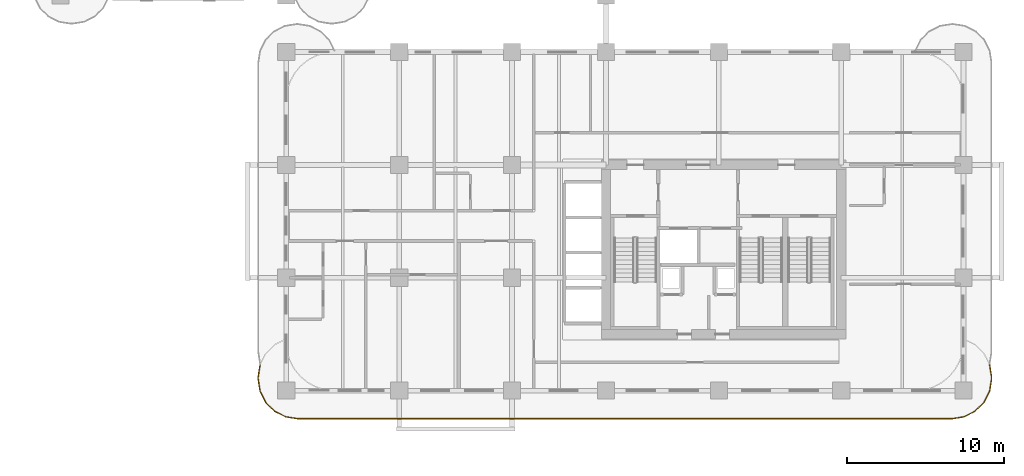
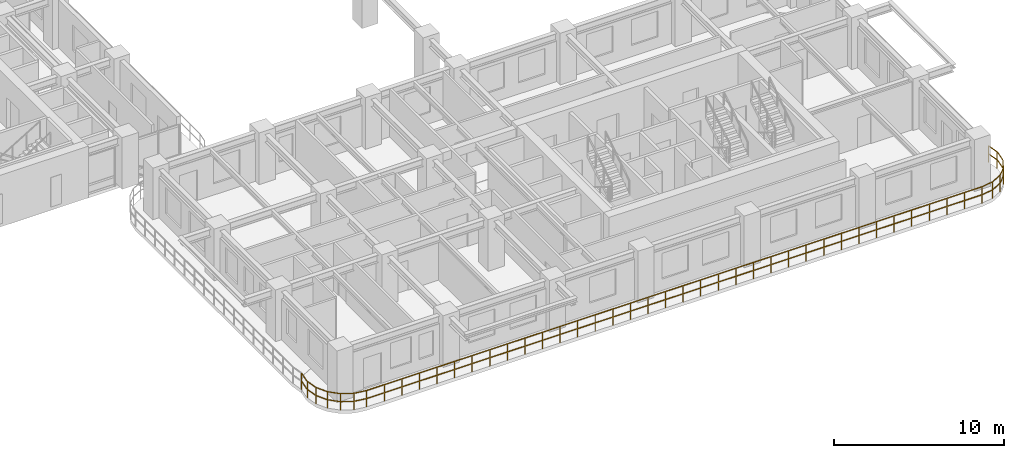
# One storey, part 13 of 18: 1 railing.
"""IFC4 building model written with IfcOpenShell, lengths in metres."""

from ifc_helpers import new_model, si_unit, derived_unit, direction, frame, origin, origin_2d, place, context, subcontext, project, spatial, rectangle, extrude, material, type_object, element, save


model = new_model("IFC4")

# Units and contexts
model_context = context("Model", 3, precision=1e-05, world=origin(), true_north=direction((0.0, 1.0)))
body_context = subcontext(model_context, "Body", "Model", "MODEL_VIEW")
ifc_project = project(units=[si_unit("LENGTHUNIT", "METRE"), si_unit("AREAUNIT", "SQUARE_METRE"), si_unit("VOLUMEUNIT", "CUBIC_METRE"), si_unit("PLANEANGLEUNIT", "RADIAN"), si_unit("MASSUNIT", "GRAM", prefix="KILO"), si_unit("THERMODYNAMICTEMPERATUREUNIT", "KELVIN"), si_unit("POWERUNIT", "WATT"), derived_unit("THERMALTRANSMITTANCEUNIT", [(si_unit("POWERUNIT", "WATT"), 1), (si_unit("AREAUNIT", "SQUARE_METRE"), -1), (si_unit("THERMODYNAMICTEMPERATUREUNIT", "KELVIN"), -1)])], contexts=[model_context])

# Site, building, storey
site_placement = place(None, origin())
site = spatial("IfcSite", under=ifc_project, at=site_placement, CompositionType="ELEMENT")
building_placement = place(site_placement, origin())
building = spatial("IfcBuilding", under=site, at=building_placement, Name="Zahravan Archway Hotel and Residences", CompositionType="ELEMENT")
storey_placement = place(building_placement, frame((0.0, 0.0, 58.300048828125)))
storey = spatial("IfcBuildingStorey", under=building, at=storey_placement, Name="L13", CompositionType="ELEMENT", Elevation=58.300048828125)

# Railing
ifc_material = material(Name="Bronze & Laminated Glass Balustrade", Category="glass")
railing_type = type_object("IfcRailingType", Name="RL-BAL-1200", PredefinedType="BALUSTRADE", material=ifc_material)
railing_placement = place(storey_placement, frame((59.275146484375, 1.637939453125, 0.0)))
element("IfcRailing", 1, at=railing_placement, inside=storey, type_object=railing_type, Name="L13 Balustrade RL-SLB-BAL-L13-SA-1", PredefinedType="BALUSTRADE", context=body_context, shape_type="SweptSolid", body=[
    extrude(rectangle(XDim=0.048095703125, YDim=0.048095703125, at=origin_2d()), frame((0.0, 0.0, 1.17578125), z_axis=(0.156402639467, -0.987693380745, 0.0), x_axis=(0.987693380745, 0.156402639467, 0.0)), (0.0, 0.0, 1.0), 0.797607421875),
    extrude(rectangle(XDim=0.048095703125, YDim=0.048095703125, at=origin_2d()), frame((0.0, 0.0, 0.60009765625), z_axis=(0.156402639467, -0.987693380745, 0.0), x_axis=(0.987693380745, 0.156402639467, 0.0)), (0.0, 0.0, 1.0), 0.797607421875),
    extrude(rectangle(XDim=0.048095703125, YDim=0.048095703125, at=origin_2d()), frame((0.124755859375, -0.787841796875, 1.17578125), z_axis=(0.0, -1.0, 0.0), x_axis=(1.0, 0.0, 0.0)), (0.0, 0.0, 1.0), 0.10009765625),
    extrude(rectangle(XDim=0.048095703125, YDim=0.048095703125, at=origin_2d()), frame((0.124755859375, -0.787841796875, 0.60009765625), z_axis=(0.0, -1.0, 0.0), x_axis=(1.0, 0.0, 0.0)), (0.0, 0.0, 1.0), 0.10009765625),
    extrude(rectangle(XDim=0.048095703125, YDim=0.048095703125, at=origin_2d()), frame((0.124755859375, -0.887939453125, 1.17578125), z_axis=(-0.156355372278, -0.987700864412, 0.0), x_axis=(0.987700864412, -0.156355372278, 0.0)), (0.0, 0.0, 1.0), 0.7978515625),
    extrude(rectangle(XDim=0.048095703125, YDim=0.048095703125, at=origin_2d()), frame((0.124755859375, -0.887939453125, 0.60009765625), z_axis=(-0.156355372278, -0.987700864412, 0.0), x_axis=(0.987700864412, -0.156355372278, 0.0)), (0.0, 0.0, 1.0), 0.7978515625),
    extrude(rectangle(XDim=0.048095703125, YDim=0.048095703125, at=origin_2d()), frame((0.0, -1.676025390625, 1.17578125), z_axis=(-0.453934952053, -0.891034824967, 0.0), x_axis=(0.891034824967, -0.453934952053, 0.0)), (0.0, 0.0, 1.0), 0.797607421875),
    extrude(rectangle(XDim=0.048095703125, YDim=0.048095703125, at=origin_2d()), frame((0.0, -1.676025390625, 0.60009765625), z_axis=(-0.453934952053, -0.891034824967, 0.0), x_axis=(0.891034824967, -0.453934952053, 0.0)), (0.0, 0.0, 1.0), 0.797607421875),
    extrude(rectangle(XDim=0.048095703125, YDim=0.048095703125, at=origin_2d()), frame((-0.362060546875, -2.38671875, 1.17578125), z_axis=(-0.707106781187, -0.707106781187, 0.0), x_axis=(0.707106781187, -0.707106781187, 0.0)), (0.0, 0.0, 1.0), 0.7978515625),
    extrude(rectangle(XDim=0.048095703125, YDim=0.048095703125, at=origin_2d()), frame((-0.362060546875, -2.38671875, 0.60009765625), z_axis=(-0.707106781187, -0.707106781187, 0.0), x_axis=(0.707106781187, -0.707106781187, 0.0)), (0.0, 0.0, 1.0), 0.7978515625),
    extrude(rectangle(XDim=0.048095703125, YDim=0.048095703125, at=origin_2d()), frame((-0.92626953125, -2.950927734375, 1.17578125), z_axis=(-0.890974108706, -0.454054113091, 0.0), x_axis=(0.454054113091, -0.890974108706, 0.0)), (0.0, 0.0, 1.0), 0.7978515625),
    extrude(rectangle(XDim=0.048095703125, YDim=0.048095703125, at=origin_2d()), frame((-0.92626953125, -2.950927734375, 0.60009765625), z_axis=(-0.890974108706, -0.454054113091, 0.0), x_axis=(0.454054113091, -0.890974108706, 0.0)), (0.0, 0.0, 1.0), 0.7978515625),
    extrude(rectangle(XDim=0.048095703125, YDim=0.048095703125, at=origin_2d()), frame((-1.63720703125, -3.313232421875, 1.17578125), z_axis=(-0.987693380745, -0.156402639467, 0.0), x_axis=(0.156402639467, -0.987693380745, 0.0)), (0.0, 0.0, 1.0), 0.797607421875),
    extrude(rectangle(XDim=0.048095703125, YDim=0.048095703125, at=origin_2d()), frame((-1.63720703125, -3.313232421875, 0.60009765625), z_axis=(-0.987693380745, -0.156402639467, 0.0), x_axis=(0.156402639467, -0.987693380745, 0.0)), (0.0, 0.0, 1.0), 0.797607421875),
    extrude(rectangle(XDim=0.048095703125, YDim=0.048095703125, at=origin_2d()), frame((-2.425048828125, -3.43798828125, 1.17578125), z_axis=(-1.0, 0.0, 0.0), x_axis=(0.0, -1.0, 0.0)), (0.0, 0.0, 1.0), 41.7001953125),
    extrude(rectangle(XDim=0.048095703125, YDim=0.048095703125, at=origin_2d()), frame((-2.425048828125, -3.43798828125, 0.60009765625), z_axis=(-1.0, 0.0, 0.0), x_axis=(0.0, -1.0, 0.0)), (0.0, 0.0, 1.0), 41.7001953125),
    extrude(rectangle(XDim=0.048095703125, YDim=0.048095703125, at=origin_2d()), frame((-44.125244140625, -3.43798828125, 1.17578125), z_axis=(-0.987693380745, 0.156402639467, 0.0), x_axis=(-0.156402639467, -0.987693380745, 0.0)), (0.0, 0.0, 1.0), 0.797607421875),
    extrude(rectangle(XDim=0.048095703125, YDim=0.048095703125, at=origin_2d()), frame((-44.125244140625, -3.43798828125, 0.60009765625), z_axis=(-0.987693380745, 0.156402639467, 0.0), x_axis=(-0.156402639467, -0.987693380745, 0.0)), (0.0, 0.0, 1.0), 0.797607421875),
    extrude(rectangle(XDim=0.048095703125, YDim=0.048095703125, at=origin_2d()), frame((-44.9130859375, -3.313232421875, 1.17578125), z_axis=(-0.890974108706, 0.454054113091, 0.0), x_axis=(-0.454054113091, -0.890974108706, 0.0)), (0.0, 0.0, 1.0), 0.7978515625),
    extrude(rectangle(XDim=0.048095703125, YDim=0.048095703125, at=origin_2d()), frame((-44.9130859375, -3.313232421875, 0.60009765625), z_axis=(-0.890974108706, 0.454054113091, 0.0), x_axis=(-0.454054113091, -0.890974108706, 0.0)), (0.0, 0.0, 1.0), 0.7978515625),
    extrude(rectangle(XDim=0.048095703125, YDim=0.048095703125, at=origin_2d()), frame((-45.6240234375, -2.950927734375, 1.17578125), z_axis=(-0.707106781187, 0.707106781187, 0.0), x_axis=(-0.707106781187, -0.707106781187, 0.0)), (0.0, 0.0, 1.0), 0.7978515625),
    extrude(rectangle(XDim=0.048095703125, YDim=0.048095703125, at=origin_2d()), frame((-45.6240234375, -2.950927734375, 0.60009765625), z_axis=(-0.707106781187, 0.707106781187, 0.0), x_axis=(-0.707106781187, -0.707106781187, 0.0)), (0.0, 0.0, 1.0), 0.7978515625),
    extrude(rectangle(XDim=0.048095703125, YDim=0.048095703125, at=origin_2d()), frame((-46.188232421875, -2.38671875, 1.17578125), z_axis=(-0.453934952053, 0.891034824967, 0.0), x_axis=(-0.891034824967, -0.453934952053, 0.0)), (0.0, 0.0, 1.0), 0.797607421875),
    extrude(rectangle(XDim=0.048095703125, YDim=0.048095703125, at=origin_2d()), frame((-46.188232421875, -2.38671875, 0.60009765625), z_axis=(-0.453934952053, 0.891034824967, 0.0), x_axis=(-0.891034824967, -0.453934952053, 0.0)), (0.0, 0.0, 1.0), 0.797607421875),
    extrude(rectangle(XDim=0.048095703125, YDim=0.048095703125, at=origin_2d()), frame((-46.55029296875, -1.676025390625, 1.17578125), z_axis=(-0.156355372278, 0.987700864412, 0.0), x_axis=(-0.987700864412, -0.156355372278, 0.0)), (0.0, 0.0, 1.0), 0.7978515625),
    extrude(rectangle(XDim=0.048095703125, YDim=0.048095703125, at=origin_2d()), frame((-46.55029296875, -1.676025390625, 0.60009765625), z_axis=(-0.156355372278, 0.987700864412, 0.0), x_axis=(-0.987700864412, -0.156355372278, 0.0)), (0.0, 0.0, 1.0), 0.7978515625),
    extrude(rectangle(XDim=0.048095703125, YDim=0.048095703125, at=origin_2d()), frame((-46.675048828125, -0.887939453125, 1.17578125), z_axis=(0.0, 1.0, 0.0), x_axis=(-1.0, 0.0, 0.0)), (0.0, 0.0, 1.0), 0.10009765625),
    extrude(rectangle(XDim=0.048095703125, YDim=0.048095703125, at=origin_2d()), frame((-46.675048828125, -0.887939453125, 0.60009765625), z_axis=(0.0, 1.0, 0.0), x_axis=(-1.0, 0.0, 0.0)), (0.0, 0.0, 1.0), 0.10009765625),
    extrude(rectangle(XDim=0.048095703125, YDim=0.048095703125, at=origin_2d()), frame((-46.675048828125, -0.787841796875, 1.17578125), z_axis=(0.156402639467, 0.987693380745, 0.0), x_axis=(-0.987693380745, 0.156402639467, 0.0)), (0.0, 0.0, 1.0), 0.797607421875),
    extrude(rectangle(XDim=0.048095703125, YDim=0.048095703125, at=origin_2d()), frame((-46.675048828125, -0.787841796875, 0.60009765625), z_axis=(0.156402639467, 0.987693380745, 0.0), x_axis=(-0.987693380745, 0.156402639467, 0.0)), (0.0, 0.0, 1.0), 0.797607421875),
    extrude(rectangle(XDim=0.0419921875, YDim=0.0419921875, at=origin_2d()), origin(), (0.0, 0.0, 1.0), 1.15185546875),
    extrude(rectangle(XDim=0.0419921875, YDim=0.0419921875, at=origin_2d()), frame((0.124755859375, -0.787841796875, 0.0)), (0.0, 0.0, 1.0), 1.15185546875),
    extrude(rectangle(XDim=0.0419921875, YDim=0.0419921875, at=origin_2d()), frame((0.0, -1.676025390625, 0.0)), (0.0, 0.0, 1.0), 1.15185546875),
    extrude(rectangle(XDim=0.0419921875, YDim=0.0419921875, at=origin_2d()), frame((-0.362060546875, -2.38671875, 0.0)), (0.0, 0.0, 1.0), 1.15185546875),
    extrude(rectangle(XDim=0.0419921875, YDim=0.0419921875, at=origin_2d()), frame((-0.92626953125, -2.950927734375, 0.0)), (0.0, 0.0, 1.0), 1.15185546875),
    extrude(rectangle(XDim=0.0419921875, YDim=0.0419921875, at=origin_2d()), frame((-1.63720703125, -3.313232421875, 0.0)), (0.0, 0.0, 1.0), 1.15185546875),
    extrude(rectangle(XDim=0.0419921875, YDim=0.0419921875, at=origin_2d()), frame((-2.425048828125, -3.43798828125, 0.0)), (0.0, 0.0, 1.0), 1.15185546875),
    extrude(rectangle(XDim=0.0419921875, YDim=0.0419921875, at=origin_2d()), frame((-3.616455078125, -3.43798828125, 0.0)), (0.0, 0.0, 1.0), 1.15185546875),
    extrude(rectangle(XDim=0.0419921875, YDim=0.0419921875, at=origin_2d()), frame((-4.807861328125, -3.43798828125, 0.0)), (0.0, 0.0, 1.0), 1.15185546875),
    extrude(rectangle(XDim=0.0419921875, YDim=0.0419921875, at=origin_2d()), frame((-5.999267578125, -3.43798828125, 0.0)), (0.0, 0.0, 1.0), 1.15185546875),
    extrude(rectangle(XDim=0.0419921875, YDim=0.0419921875, at=origin_2d()), frame((-7.190673828125, -3.43798828125, 0.0)), (0.0, 0.0, 1.0), 1.15185546875),
    extrude(rectangle(XDim=0.0419921875, YDim=0.0419921875, at=origin_2d()), frame((-8.38232421875, -3.43798828125, 0.0)), (0.0, 0.0, 1.0), 1.15185546875),
    extrude(rectangle(XDim=0.0419921875, YDim=0.0419921875, at=origin_2d()), frame((-9.57373046875, -3.43798828125, 0.0)), (0.0, 0.0, 1.0), 1.15185546875),
    extrude(rectangle(XDim=0.0419921875, YDim=0.0419921875, at=origin_2d()), frame((-10.76513671875, -3.43798828125, 0.0)), (0.0, 0.0, 1.0), 1.15185546875),
    extrude(rectangle(XDim=0.0419921875, YDim=0.0419921875, at=origin_2d()), frame((-11.95654296875, -3.43798828125, 0.0)), (0.0, 0.0, 1.0), 1.15185546875),
    extrude(rectangle(XDim=0.0419921875, YDim=0.0419921875, at=origin_2d()), frame((-13.14794921875, -3.43798828125, 0.0)), (0.0, 0.0, 1.0), 1.15185546875),
    extrude(rectangle(XDim=0.0419921875, YDim=0.0419921875, at=origin_2d()), frame((-14.33935546875, -3.43798828125, 0.0)), (0.0, 0.0, 1.0), 1.15185546875),
    extrude(rectangle(XDim=0.0419921875, YDim=0.0419921875, at=origin_2d()), frame((-15.53076171875, -3.43798828125, 0.0)), (0.0, 0.0, 1.0), 1.15185546875),
    extrude(rectangle(XDim=0.0419921875, YDim=0.0419921875, at=origin_2d()), frame((-16.72216796875, -3.43798828125, 0.0)), (0.0, 0.0, 1.0), 1.15185546875),
    extrude(rectangle(XDim=0.0419921875, YDim=0.0419921875, at=origin_2d()), frame((-17.91357421875, -3.43798828125, 0.0)), (0.0, 0.0, 1.0), 1.15185546875),
    extrude(rectangle(XDim=0.0419921875, YDim=0.0419921875, at=origin_2d()), frame((-19.105224609375, -3.43798828125, 0.0)), (0.0, 0.0, 1.0), 1.15185546875),
    extrude(rectangle(XDim=0.0419921875, YDim=0.0419921875, at=origin_2d()), frame((-20.296630859375, -3.43798828125, 0.0)), (0.0, 0.0, 1.0), 1.15185546875),
    extrude(rectangle(XDim=0.0419921875, YDim=0.0419921875, at=origin_2d()), frame((-21.488037109375, -3.43798828125, 0.0)), (0.0, 0.0, 1.0), 1.15185546875),
    extrude(rectangle(XDim=0.0419921875, YDim=0.0419921875, at=origin_2d()), frame((-22.679443359375, -3.43798828125, 0.0)), (0.0, 0.0, 1.0), 1.15185546875),
    extrude(rectangle(XDim=0.0419921875, YDim=0.0419921875, at=origin_2d()), frame((-23.870849609375, -3.43798828125, 0.0)), (0.0, 0.0, 1.0), 1.15185546875),
    extrude(rectangle(XDim=0.0419921875, YDim=0.0419921875, at=origin_2d()), frame((-25.062255859375, -3.43798828125, 0.0)), (0.0, 0.0, 1.0), 1.15185546875),
    extrude(rectangle(XDim=0.0419921875, YDim=0.0419921875, at=origin_2d()), frame((-26.253662109375, -3.43798828125, 0.0)), (0.0, 0.0, 1.0), 1.15185546875),
    extrude(rectangle(XDim=0.0419921875, YDim=0.0419921875, at=origin_2d()), frame((-27.445068359375, -3.43798828125, 0.0)), (0.0, 0.0, 1.0), 1.15185546875),
    extrude(rectangle(XDim=0.0419921875, YDim=0.0419921875, at=origin_2d()), frame((-28.63671875, -3.43798828125, 0.0)), (0.0, 0.0, 1.0), 1.15185546875),
    extrude(rectangle(XDim=0.0419921875, YDim=0.0419921875, at=origin_2d()), frame((-29.828125, -3.43798828125, 0.0)), (0.0, 0.0, 1.0), 1.15185546875),
    extrude(rectangle(XDim=0.0419921875, YDim=0.0419921875, at=origin_2d()), frame((-31.01953125, -3.43798828125, 0.0)), (0.0, 0.0, 1.0), 1.15185546875),
    extrude(rectangle(XDim=0.0419921875, YDim=0.0419921875, at=origin_2d()), frame((-32.2109375, -3.43798828125, 0.0)), (0.0, 0.0, 1.0), 1.15185546875),
    extrude(rectangle(XDim=0.0419921875, YDim=0.0419921875, at=origin_2d()), frame((-33.40234375, -3.43798828125, 0.0)), (0.0, 0.0, 1.0), 1.15185546875),
    extrude(rectangle(XDim=0.0419921875, YDim=0.0419921875, at=origin_2d()), frame((-34.59375, -3.43798828125, 0.0)), (0.0, 0.0, 1.0), 1.15185546875),
    extrude(rectangle(XDim=0.0419921875, YDim=0.0419921875, at=origin_2d()), frame((-35.78515625, -3.43798828125, 0.0)), (0.0, 0.0, 1.0), 1.15185546875),
    extrude(rectangle(XDim=0.0419921875, YDim=0.0419921875, at=origin_2d()), frame((-36.9765625, -3.43798828125, 0.0)), (0.0, 0.0, 1.0), 1.15185546875),
    extrude(rectangle(XDim=0.0419921875, YDim=0.0419921875, at=origin_2d()), frame((-38.16796875, -3.43798828125, 0.0)), (0.0, 0.0, 1.0), 1.15185546875),
    extrude(rectangle(XDim=0.0419921875, YDim=0.0419921875, at=origin_2d()), frame((-39.359619140625, -3.43798828125, 0.0)), (0.0, 0.0, 1.0), 1.15185546875),
    extrude(rectangle(XDim=0.0419921875, YDim=0.0419921875, at=origin_2d()), frame((-40.551025390625, -3.43798828125, 0.0)), (0.0, 0.0, 1.0), 1.15185546875),
    extrude(rectangle(XDim=0.0419921875, YDim=0.0419921875, at=origin_2d()), frame((-41.742431640625, -3.43798828125, 0.0)), (0.0, 0.0, 1.0), 1.15185546875),
    extrude(rectangle(XDim=0.0419921875, YDim=0.0419921875, at=origin_2d()), frame((-42.933837890625, -3.43798828125, 0.0)), (0.0, 0.0, 1.0), 1.15185546875),
    extrude(rectangle(XDim=0.0419921875, YDim=0.0419921875, at=origin_2d()), frame((-44.125244140625, -3.43798828125, 0.0)), (0.0, 0.0, 1.0), 1.15185546875),
    extrude(rectangle(XDim=0.0419921875, YDim=0.0419921875, at=origin_2d()), frame((-44.9130859375, -3.313232421875, 0.0)), (0.0, 0.0, 1.0), 1.15185546875),
    extrude(rectangle(XDim=0.0419921875, YDim=0.0419921875, at=origin_2d()), frame((-45.6240234375, -2.950927734375, 0.0)), (0.0, 0.0, 1.0), 1.15185546875),
    extrude(rectangle(XDim=0.0419921875, YDim=0.0419921875, at=origin_2d()), frame((-46.188232421875, -2.38671875, 0.0)), (0.0, 0.0, 1.0), 1.15185546875),
    extrude(rectangle(XDim=0.0419921875, YDim=0.0419921875, at=origin_2d()), frame((-46.55029296875, -1.676025390625, 0.0)), (0.0, 0.0, 1.0), 1.15185546875),
    extrude(rectangle(XDim=0.0419921875, YDim=0.0419921875, at=origin_2d()), frame((-46.675048828125, -0.887939453125, 0.0)), (0.0, 0.0, 1.0), 1.15185546875),
    extrude(rectangle(XDim=0.0419921875, YDim=0.0419921875, at=origin_2d()), frame((-46.55029296875, 0.0, 0.0)), (0.0, 0.0, 1.0), 1.15185546875),
])

save(model, "model.ifc")
